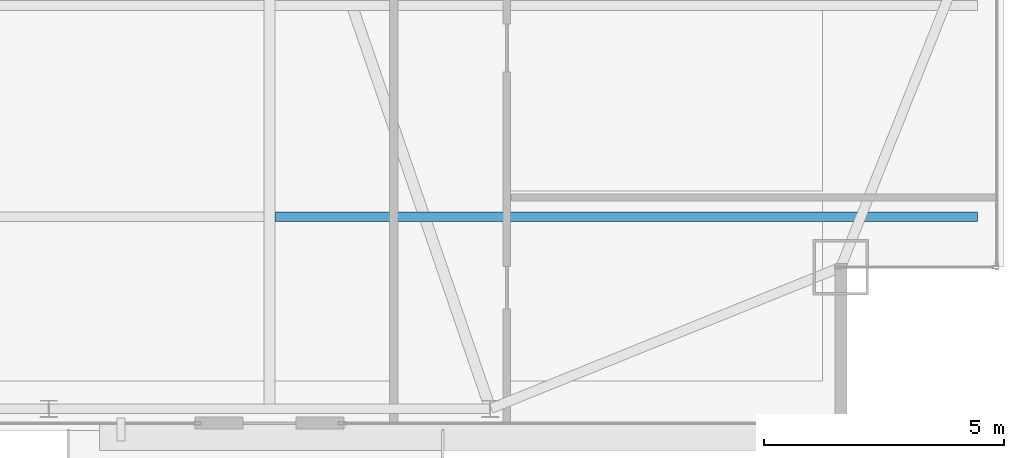
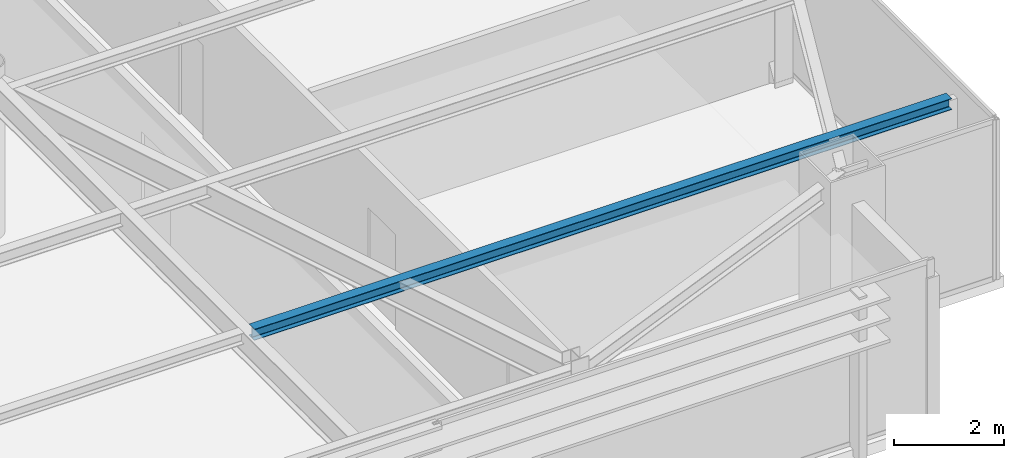
# One storey, part 14 of 31: 1 beam.
"""IFC4 building model written with IfcOpenShell, lengths in metres."""

from ifc_helpers import new_model, si_unit, direction, frame, origin, origin_2d, place, context, subcontext, project, spatial, i_section, extrude, source, transform, mapped, material, material_profile, profile_set, type_object, type_shapes, element, save


model = new_model("IFC4")

# Units and contexts
model_context = context("Model", 3, precision=1e-05, world=origin(), true_north=direction((0.0, 1.0)))
body_context = subcontext(model_context, "Body", "Model", "MODEL_VIEW")
ifc_project = project(units=[si_unit("LENGTHUNIT", "METRE"), si_unit("AREAUNIT", "SQUARE_METRE"), si_unit("VOLUMEUNIT", "CUBIC_METRE"), si_unit("PLANEANGLEUNIT", "RADIAN"), si_unit("MASSUNIT", "GRAM", prefix="KILO")], contexts=[model_context])

# Site, building, storey
site_placement = place(None, origin())
site = spatial("IfcSite", under=ifc_project, at=site_placement, CompositionType="ELEMENT")
building_placement = place(site_placement, origin())
building = spatial("IfcBuilding", under=site, at=building_placement, Name="Varnel Quay Broadcast Tower", CompositionType="ELEMENT")
storey_placement = place(building_placement, frame((0.0, 0.0, 215.0)))
storey = spatial("IfcBuildingStorey", under=building, at=storey_placement, Name="L53", CompositionType="ELEMENT", Elevation=215.0)

# Beam
ifc_material = material(Name="Structural Steel CSA G40.21 350W", Category="steel")
ifc_material_profile = material_profile(ifc_material, i_section(OverallWidth=0.201904296875, OverallDepth=0.2470703125, WebThickness=0.00732421875, FlangeThickness=0.010986328125, FilletRadius=0.010986328125, at=origin_2d()), Name="W250X49")
ifc_profile_set = profile_set([ifc_material_profile], Name="Structural Steel CSA G40.21 350W")
beam_type = type_object("IfcBeamType", Name="Beam_W250X49", PredefinedType="JOIST", material=ifc_profile_set)
shared_shape = source(origin(), body_context, "Body", "SweptSolid", [
    extrude(i_section(OverallWidth=0.201904296875, OverallDepth=0.2470703125, WebThickness=0.00732421875, FlangeThickness=0.010986328125, FilletRadius=0.010986328125, at=origin_2d()), origin(), (0.0, 0.0, 1.0), 14.642333984375),
])
type_shapes(beam_type, [shared_shape])
beam_placement = place(storey_placement, frame((43.31005859375, 14.64990234375, 3.426513671875), z_axis=(1.0, 0.0, 0.0), x_axis=(0.0, 1.0, 0.0)))
element("IfcBeam", 1, at=beam_placement, inside=storey, type_object=beam_type, Name="L53 East Floor Joist 1", PredefinedType="JOIST", context=body_context, shape_type="MappedRepresentation", body=[
    mapped(shared_shape, transform((0.0, 0.0, 0.0), x_axis=(1.0, 0.0, 0.0), y_axis=(0.0, 1.0, 0.0), z_axis=(0.0, 0.0, 1.0), scale=1.0)),
])

save(model, "model.ifc")
